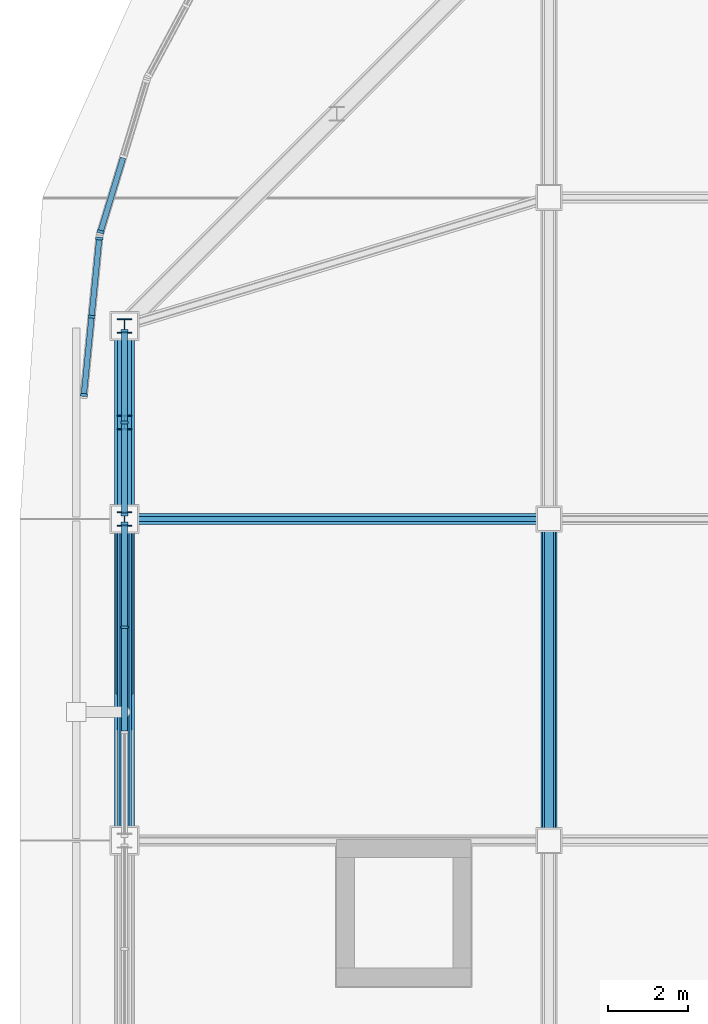
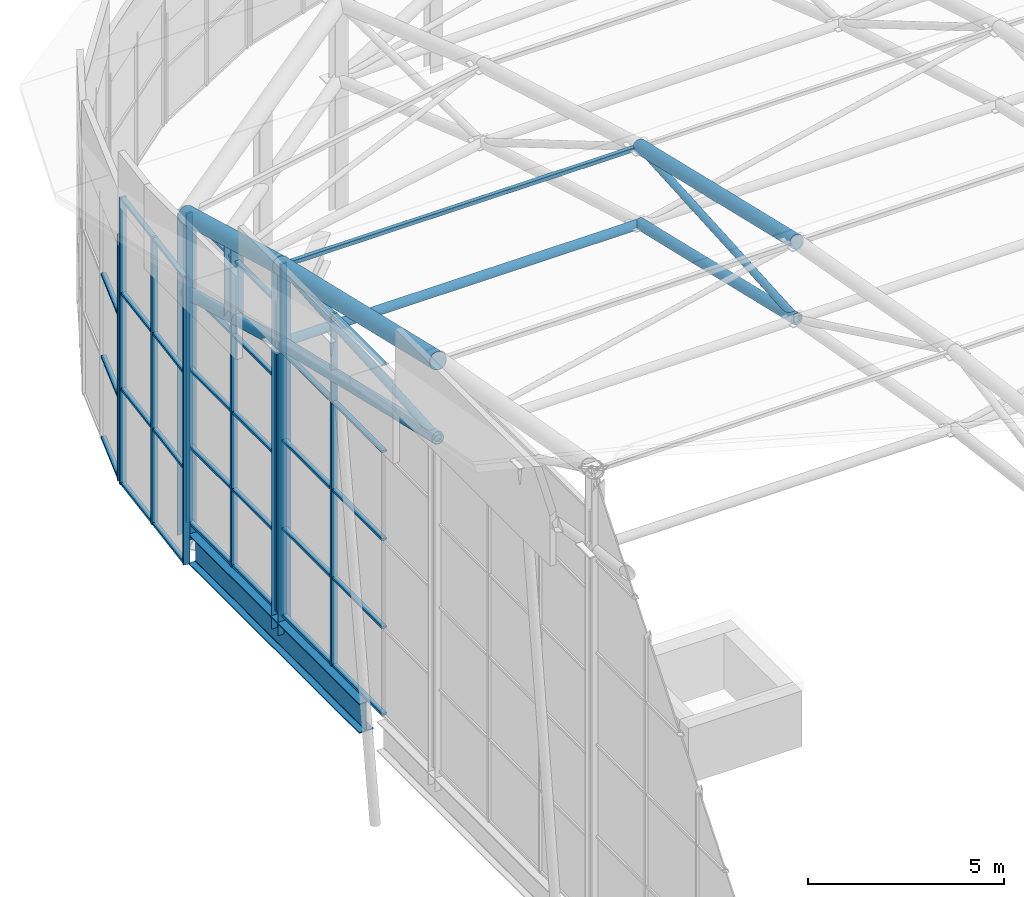
# One storey, part 18 of 42: 53 members, 1 beam, 4 elements without a shape of their own.
"""IFC4 building model written with IfcOpenShell, lengths in metres."""

from ifc_helpers import new_model, si_unit, direction, frame, origin, origin_2d, place, context, subcontext, project, spatial, rectangle, hollow_rectangle, hollow_circle, i_section, extrude, material, layer, layer_set, material_profile, profile_set, type_object, element, aggregate, save


model = new_model("IFC4")

# Units and contexts
model_context = context("Model", 3, precision=1e-05, world=origin(), true_north=direction((0.0, 1.0)))
body_context = subcontext(model_context, "Body", "Model", "MODEL_VIEW")
ifc_project = project(units=[si_unit("LENGTHUNIT", "METRE"), si_unit("AREAUNIT", "SQUARE_METRE"), si_unit("VOLUMEUNIT", "CUBIC_METRE"), si_unit("PLANEANGLEUNIT", "RADIAN"), si_unit("MASSUNIT", "GRAM", prefix="KILO")], contexts=[model_context])

# Site, building, storey
site_placement = place(None, origin())
site = spatial("IfcSite", under=ifc_project, at=site_placement, CompositionType="ELEMENT")
building_placement = place(site_placement, origin())
building = spatial("IfcBuilding", under=site, at=building_placement, Name="Caelomonte Colonnade Arena", CompositionType="ELEMENT")
storey_placement = place(building_placement, frame((0.0, 0.0, 28.199951171875)))
storey = spatial("IfcBuildingStorey", under=building, at=storey_placement, Name="RF", CompositionType="ELEMENT", Elevation=28.199951171875)

# Curtain wall, members
ifc_material_1 = material(Name="Bronze anodised aluminium and low-E glazing", Category="aluminium")
ifc_layer_1 = layer(ifc_material_1, 0.179931640625)
ifc_layer_set_1 = layer_set([ifc_layer_1], Name="Bronze anodised aluminium and low-E glazing")
curtain_wall_type_1 = type_object("IfcCurtainWallType", Name="ENV-CW-CW-TYMP-07", PredefinedType="USERDEFINED", material=ifc_layer_set_1)
curtain_wall_1_placement = place(storey_placement, origin())
curtain_wall_1 = element("IfcCurtainWall", 1, at=curtain_wall_1_placement, inside=storey, type_object=curtain_wall_type_1, Name="Barrel arch W clerestory tympanum curtain wall 7", ObjectType="UNITIZED CURTAIN WALL", PredefinedType="USERDEFINED")
ifc_material_2 = material(Name="Bronze anodised aluminium AA6063-T6", Category="aluminium")
ifc_material_profile_1 = material_profile(ifc_material_2, rectangle(XDim=0.070068359375, YDim=0.179931640625, at=origin_2d()), Name="CWM-70X180")
ifc_profile_set_1 = profile_set([ifc_material_profile_1], Name="Bronze anodised aluminium AA6063-T6")
member_type_1 = type_object("IfcMemberType", Name="ENV-CW-MULL1", PredefinedType="MULLION", material=ifc_profile_set_1)
member_1_placement = place(storey_placement, frame((57.60009765625, 91.0849609375, -0.14990234375), z_axis=(0.0, 0.0, 1.0), x_axis=(0.0, -1.0, 0.0)))
member_1 = element("IfcMember", 2, at=member_1_placement, type_object=member_type_1, Name="CW-TYMP-07 mullion 1", PredefinedType="MULLION", context=body_context, shape_type="SweptSolid", body=[
    extrude(rectangle(XDim=0.070068359375, YDim=0.179931640625, at=origin_2d()), origin(), (0.0, 0.0, 1.0), 10.952880859375),
])
member_2_placement = place(storey_placement, frame((57.60009765625, 88.506591796875, -0.14990234375), z_axis=(0.0, 0.0, 1.0), x_axis=(0.0, -1.0, 0.0)))
member_2 = element("IfcMember", 3, at=member_2_placement, type_object=member_type_1, Name="CW-TYMP-07 mullion 2", PredefinedType="MULLION", context=body_context, shape_type="SweptSolid", body=[
    extrude(rectangle(XDim=0.070068359375, YDim=0.179931640625, at=origin_2d()), origin(), (0.0, 0.0, 1.0), 10.952880859375),
])

ifc_layer_2 = layer(ifc_material_1, 0.179931640625)
ifc_layer_set_2 = layer_set([ifc_layer_2], Name="Bronze anodised aluminium and low-E glazing")
curtain_wall_type_2 = type_object("IfcCurtainWallType", Name="ENV-CW-CW-TYMP-08", PredefinedType="USERDEFINED", material=ifc_layer_set_2)
curtain_wall_2_placement = place(storey_placement, origin())
curtain_wall_2 = element("IfcCurtainWall", 4, at=curtain_wall_2_placement, inside=storey, type_object=curtain_wall_type_2, Name="Barrel arch W clerestory tympanum curtain wall 8", ObjectType="UNITIZED CURTAIN WALL", PredefinedType="USERDEFINED")
member_3_placement = place(storey_placement, frame((57.60009765625, 95.885009765625, -0.14990234375), z_axis=(0.0, 0.0, 1.0), x_axis=(0.0, -1.0, 0.0)))
member_3 = element("IfcMember", 5, at=member_3_placement, type_object=member_type_1, Name="CW-TYMP-08 mullion 1", PredefinedType="MULLION", context=body_context, shape_type="SweptSolid", body=[
    extrude(rectangle(XDim=0.070068359375, YDim=0.179931640625, at=origin_2d()), origin(), (0.0, 0.0, 1.0), 9.61474609375),
])
member_4_placement = place(storey_placement, frame((57.60009765625, 93.60009765625, -0.14990234375), z_axis=(0.0, 0.0, 1.0), x_axis=(0.0, -1.0, 0.0)))
member_4 = element("IfcMember", 6, at=member_4_placement, type_object=member_type_1, Name="CW-TYMP-08 mullion 2", PredefinedType="MULLION", context=body_context, shape_type="SweptSolid", body=[
    extrude(rectangle(XDim=0.070068359375, YDim=0.179931640625, at=origin_2d()), origin(), (0.0, 0.0, 1.0), 9.61474609375),
])
member_5_placement = place(storey_placement, frame((57.60009765625, 91.31494140625, -0.14990234375), z_axis=(0.0, 0.0, 1.0), x_axis=(0.0, -1.0, 0.0)))
member_5 = element("IfcMember", 7, at=member_5_placement, type_object=member_type_1, Name="CW-TYMP-08 mullion 3", PredefinedType="MULLION", context=body_context, shape_type="SweptSolid", body=[
    extrude(rectangle(XDim=0.070068359375, YDim=0.179931640625, at=origin_2d()), origin(), (0.0, 0.0, 1.0), 9.61474609375),
])

# Curtain wall, member
ifc_layer_3 = layer(ifc_material_1, 0.179931640625)
ifc_layer_set_3 = layer_set([ifc_layer_3], Name="Bronze anodised aluminium and low-E glazing")
curtain_wall_type_3 = type_object("IfcCurtainWallType", Name="ENV-CW-CW-TYMPC-02-77", PredefinedType="USERDEFINED", material=ifc_layer_set_3)
curtain_wall_3_placement = place(storey_placement, origin())
curtain_wall_3 = element("IfcCurtainWall", 8, at=curtain_wall_3_placement, inside=storey, type_object=curtain_wall_type_3, Name="Barrel arch rounded corner clerestory curtain wall 23", ObjectType="UNITIZED CURTAIN WALL", PredefinedType="USERDEFINED")
member_6_placement = place(storey_placement, frame((57.004638671875, 98.343017578125, -0.14990234375), z_axis=(0.0, 0.0, 1.0), x_axis=(-0.290266004632, -0.956945999811, 0.0)))
member_6 = element("IfcMember", 9, at=member_6_placement, type_object=member_type_1, Name="CW-TYMPC-02-77 mullion 3", PredefinedType="MULLION", context=body_context, shape_type="SweptSolid", body=[
    extrude(rectangle(XDim=0.070068359375, YDim=0.179931640625, at=origin_2d()), origin(), (0.0, 0.0, 1.0), 7.666259765625),
])

# Curtain wall, members
ifc_layer_4 = layer(ifc_material_1, 0.179931640625)
ifc_layer_set_4 = layer_set([ifc_layer_4], Name="Bronze anodised aluminium and low-E glazing")
curtain_wall_type_4 = type_object("IfcCurtainWallType", Name="ENV-CW-CW-TYMPC-01-89", PredefinedType="USERDEFINED", material=ifc_layer_set_4)
curtain_wall_4_placement = place(storey_placement, origin())
curtain_wall_4 = element("IfcCurtainWall", 10, at=curtain_wall_4_placement, inside=storey, type_object=curtain_wall_type_4, Name="Barrel arch rounded corner clerestory curtain wall 24", ObjectType="UNITIZED CURTAIN WALL", PredefinedType="USERDEFINED")
member_7_placement = place(storey_placement, frame((56.9716796875, 98.17724609375, -0.14990234375), z_axis=(0.0, 0.0, 1.0), x_axis=(-0.098031417843, -0.995183320356, 0.0)))
member_7 = element("IfcMember", 11, at=member_7_placement, type_object=member_type_1, Name="CW-TYMPC-01-89 mullion 1", PredefinedType="MULLION", context=body_context, shape_type="SweptSolid", body=[
    extrude(rectangle(XDim=0.070068359375, YDim=0.179931640625, at=origin_2d()), origin(), (0.0, 0.0, 1.0), 8.93017578125),
])
member_8_placement = place(storey_placement, frame((56.780029296875, 96.23095703125, -0.14990234375), z_axis=(0.0, 0.0, 1.0), x_axis=(-0.098031417843, -0.995183320356, 0.0)))
member_8 = element("IfcMember", 12, at=member_8_placement, type_object=member_type_1, Name="CW-TYMPC-01-89 mullion 2", PredefinedType="MULLION", context=body_context, shape_type="SweptSolid", body=[
    extrude(rectangle(XDim=0.070068359375, YDim=0.179931640625, at=origin_2d()), origin(), (0.0, 0.0, 1.0), 8.93017578125),
])
member_9_placement = place(storey_placement, frame((56.58837890625, 94.28466796875, -0.14990234375), z_axis=(0.0, 0.0, 1.0), x_axis=(-0.098031417843, -0.995183320356, 0.0)))
member_9 = element("IfcMember", 13, at=member_9_placement, type_object=member_type_1, Name="CW-TYMPC-01-89 mullion 3", PredefinedType="MULLION", context=body_context, shape_type="SweptSolid", body=[
    extrude(rectangle(XDim=0.070068359375, YDim=0.179931640625, at=origin_2d()), origin(), (0.0, 0.0, 1.0), 8.93017578125),
])

# Member
ifc_material_profile_2 = material_profile(ifc_material_2, rectangle(XDim=0.070068359375, YDim=0.139892578125, at=origin_2d()), Name="CWT-70X140")
ifc_profile_set_2 = profile_set([ifc_material_profile_2], Name="Bronze anodised aluminium AA6063-T6")
member_type_2 = type_object("IfcMemberType", Name="ENV-CW-TRAN1", PredefinedType="USERDEFINED", material=ifc_profile_set_2)
member_10_placement = place(storey_placement, frame((57.60009765625, 91.050048828125, -0.114990234375), z_axis=(0.0, -1.0, 0.0), x_axis=(0.0, 0.0, 1.0)))
member_10 = element("IfcMember", 14, at=member_10_placement, type_object=member_type_2, Name="CW-TYMP-07 transom 1.1", ObjectType="TRANSOM", PredefinedType="USERDEFINED", context=body_context, shape_type="SweptSolid", body=[
    extrude(rectangle(XDim=0.070068359375, YDim=0.139892578125, at=origin_2d()), origin(), (0.0, 0.0, 1.0), 2.50830078125),
])

member_11_placement = place(storey_placement, frame((57.60009765625, 91.050048828125, 2.58837890625), z_axis=(0.0, -1.0, 0.0), x_axis=(0.0, 0.0, 1.0)))
member_11 = element("IfcMember", 15, at=member_11_placement, type_object=member_type_2, Name="CW-TYMP-07 transom 1.2", ObjectType="TRANSOM", PredefinedType="USERDEFINED", context=body_context, shape_type="SweptSolid", body=[
    extrude(rectangle(XDim=0.070068359375, YDim=0.139892578125, at=origin_2d()), origin(), (0.0, 0.0, 1.0), 2.50830078125),
])

member_12_placement = place(storey_placement, frame((57.60009765625, 91.050048828125, 5.32666015625), z_axis=(0.0, -1.0, 0.0), x_axis=(0.0, 0.0, 1.0)))
member_12 = element("IfcMember", 16, at=member_12_placement, type_object=member_type_2, Name="CW-TYMP-07 transom 1.3", ObjectType="TRANSOM", PredefinedType="USERDEFINED", context=body_context, shape_type="SweptSolid", body=[
    extrude(rectangle(XDim=0.070068359375, YDim=0.139892578125, at=origin_2d()), origin(), (0.0, 0.0, 1.0), 2.50830078125),
])

member_13_placement = place(storey_placement, frame((57.60009765625, 91.050048828125, 8.064697265625), z_axis=(0.0, -1.0, 0.0), x_axis=(0.0, 0.0, 1.0)))
member_13 = element("IfcMember", 17, at=member_13_placement, type_object=member_type_2, Name="CW-TYMP-07 transom 1.4", ObjectType="TRANSOM", PredefinedType="USERDEFINED", context=body_context, shape_type="SweptSolid", body=[
    extrude(rectangle(XDim=0.070068359375, YDim=0.139892578125, at=origin_2d()), origin(), (0.0, 0.0, 1.0), 2.50830078125),
])

member_14_placement = place(storey_placement, frame((57.60009765625, 91.050048828125, 10.76806640625), z_axis=(0.0, -1.0, 0.0), x_axis=(0.0, 0.0, 1.0)))
member_14 = element("IfcMember", 18, at=member_14_placement, type_object=member_type_2, Name="CW-TYMP-07 transom 1.5", ObjectType="TRANSOM", PredefinedType="USERDEFINED", context=body_context, shape_type="SweptSolid", body=[
    extrude(rectangle(XDim=0.070068359375, YDim=0.139892578125, at=origin_2d()), origin(), (0.0, 0.0, 1.0), 2.50830078125),
])

member_15_placement = place(storey_placement, frame((57.60009765625, 88.4716796875, -0.114990234375), z_axis=(0.0, -1.0, 0.0), x_axis=(0.0, 0.0, 1.0)))
member_15 = element("IfcMember", 19, at=member_15_placement, type_object=member_type_2, Name="CW-TYMP-07 transom 2.1", ObjectType="TRANSOM", PredefinedType="USERDEFINED", context=body_context, shape_type="SweptSolid", body=[
    extrude(rectangle(XDim=0.070068359375, YDim=0.139892578125, at=origin_2d()), origin(), (0.0, 0.0, 1.0), 2.54345703125),
])

member_16_placement = place(storey_placement, frame((57.60009765625, 88.4716796875, 2.58837890625), z_axis=(0.0, -1.0, 0.0), x_axis=(0.0, 0.0, 1.0)))
member_16 = element("IfcMember", 20, at=member_16_placement, type_object=member_type_2, Name="CW-TYMP-07 transom 2.2", ObjectType="TRANSOM", PredefinedType="USERDEFINED", context=body_context, shape_type="SweptSolid", body=[
    extrude(rectangle(XDim=0.070068359375, YDim=0.139892578125, at=origin_2d()), origin(), (0.0, 0.0, 1.0), 2.54345703125),
])

member_17_placement = place(storey_placement, frame((57.60009765625, 88.4716796875, 5.32666015625), z_axis=(0.0, -1.0, 0.0), x_axis=(0.0, 0.0, 1.0)))
member_17 = element("IfcMember", 21, at=member_17_placement, type_object=member_type_2, Name="CW-TYMP-07 transom 2.3", ObjectType="TRANSOM", PredefinedType="USERDEFINED", context=body_context, shape_type="SweptSolid", body=[
    extrude(rectangle(XDim=0.070068359375, YDim=0.139892578125, at=origin_2d()), origin(), (0.0, 0.0, 1.0), 2.54345703125),
])

member_18_placement = place(storey_placement, frame((57.60009765625, 88.4716796875, 8.064697265625), z_axis=(0.0, -1.0, 0.0), x_axis=(0.0, 0.0, 1.0)))
member_18 = element("IfcMember", 22, at=member_18_placement, type_object=member_type_2, Name="CW-TYMP-07 transom 2.4", ObjectType="TRANSOM", PredefinedType="USERDEFINED", context=body_context, shape_type="SweptSolid", body=[
    extrude(rectangle(XDim=0.070068359375, YDim=0.139892578125, at=origin_2d()), origin(), (0.0, 0.0, 1.0), 2.54345703125),
])

member_19_placement = place(storey_placement, frame((57.60009765625, 88.4716796875, 10.76806640625), z_axis=(0.0, -1.0, 0.0), x_axis=(0.0, 0.0, 1.0)))
member_19 = element("IfcMember", 23, at=member_19_placement, type_object=member_type_2, Name="CW-TYMP-07 transom 2.5", ObjectType="TRANSOM", PredefinedType="USERDEFINED", context=body_context, shape_type="SweptSolid", body=[
    extrude(rectangle(XDim=0.070068359375, YDim=0.139892578125, at=origin_2d()), origin(), (0.0, 0.0, 1.0), 2.54345703125),
])

aggregate(curtain_wall_1, [member_1, member_2, member_10, member_11, member_12, member_13, member_14, member_15, member_16, member_17, member_18, member_19])

member_20_placement = place(storey_placement, frame((57.60009765625, 95.85009765625, -0.114990234375), z_axis=(0.0, -1.0, 0.0), x_axis=(0.0, 0.0, 1.0)))
member_20 = element("IfcMember", 24, at=member_20_placement, type_object=member_type_2, Name="CW-TYMP-08 transom 1.1", ObjectType="TRANSOM", PredefinedType="USERDEFINED", context=body_context, shape_type="SweptSolid", body=[
    extrude(rectangle(XDim=0.070068359375, YDim=0.139892578125, at=origin_2d()), origin(), (0.0, 0.0, 1.0), 2.215087890625),
])

member_21_placement = place(storey_placement, frame((57.60009765625, 95.85009765625, 2.253662109375), z_axis=(0.0, -1.0, 0.0), x_axis=(0.0, 0.0, 1.0)))
member_21 = element("IfcMember", 25, at=member_21_placement, type_object=member_type_2, Name="CW-TYMP-08 transom 1.2", ObjectType="TRANSOM", PredefinedType="USERDEFINED", context=body_context, shape_type="SweptSolid", body=[
    extrude(rectangle(XDim=0.070068359375, YDim=0.139892578125, at=origin_2d()), origin(), (0.0, 0.0, 1.0), 2.215087890625),
])

member_22_placement = place(storey_placement, frame((57.60009765625, 95.85009765625, 4.657470703125), z_axis=(0.0, -1.0, 0.0), x_axis=(0.0, 0.0, 1.0)))
member_22 = element("IfcMember", 26, at=member_22_placement, type_object=member_type_2, Name="CW-TYMP-08 transom 1.3", ObjectType="TRANSOM", PredefinedType="USERDEFINED", context=body_context, shape_type="SweptSolid", body=[
    extrude(rectangle(XDim=0.070068359375, YDim=0.139892578125, at=origin_2d()), origin(), (0.0, 0.0, 1.0), 2.215087890625),
])

member_23_placement = place(storey_placement, frame((57.60009765625, 95.85009765625, 7.061279296875), z_axis=(0.0, -1.0, 0.0), x_axis=(0.0, 0.0, 1.0)))
member_23 = element("IfcMember", 27, at=member_23_placement, type_object=member_type_2, Name="CW-TYMP-08 transom 1.4", ObjectType="TRANSOM", PredefinedType="USERDEFINED", context=body_context, shape_type="SweptSolid", body=[
    extrude(rectangle(XDim=0.070068359375, YDim=0.139892578125, at=origin_2d()), origin(), (0.0, 0.0, 1.0), 2.215087890625),
])

member_24_placement = place(storey_placement, frame((57.60009765625, 95.85009765625, 9.429931640625), z_axis=(0.0, -1.0, 0.0), x_axis=(0.0, 0.0, 1.0)))
member_24 = element("IfcMember", 28, at=member_24_placement, type_object=member_type_2, Name="CW-TYMP-08 transom 1.5", ObjectType="TRANSOM", PredefinedType="USERDEFINED", context=body_context, shape_type="SweptSolid", body=[
    extrude(rectangle(XDim=0.070068359375, YDim=0.139892578125, at=origin_2d()), origin(), (0.0, 0.0, 1.0), 2.215087890625),
])

member_25_placement = place(storey_placement, frame((57.60009765625, 93.56494140625, -0.114990234375), z_axis=(0.0, -1.0, 0.0), x_axis=(0.0, 0.0, 1.0)))
member_25 = element("IfcMember", 29, at=member_25_placement, type_object=member_type_2, Name="CW-TYMP-08 transom 2.1", ObjectType="TRANSOM", PredefinedType="USERDEFINED", context=body_context, shape_type="SweptSolid", body=[
    extrude(rectangle(XDim=0.070068359375, YDim=0.139892578125, at=origin_2d()), origin(), (0.0, 0.0, 1.0), 2.21484375),
])

member_26_placement = place(storey_placement, frame((57.60009765625, 93.56494140625, 2.253662109375), z_axis=(0.0, -1.0, 0.0), x_axis=(0.0, 0.0, 1.0)))
member_26 = element("IfcMember", 30, at=member_26_placement, type_object=member_type_2, Name="CW-TYMP-08 transom 2.2", ObjectType="TRANSOM", PredefinedType="USERDEFINED", context=body_context, shape_type="SweptSolid", body=[
    extrude(rectangle(XDim=0.070068359375, YDim=0.139892578125, at=origin_2d()), origin(), (0.0, 0.0, 1.0), 2.21484375),
])

member_27_placement = place(storey_placement, frame((57.60009765625, 93.56494140625, 4.657470703125), z_axis=(0.0, -1.0, 0.0), x_axis=(0.0, 0.0, 1.0)))
member_27 = element("IfcMember", 31, at=member_27_placement, type_object=member_type_2, Name="CW-TYMP-08 transom 2.3", ObjectType="TRANSOM", PredefinedType="USERDEFINED", context=body_context, shape_type="SweptSolid", body=[
    extrude(rectangle(XDim=0.070068359375, YDim=0.139892578125, at=origin_2d()), origin(), (0.0, 0.0, 1.0), 2.21484375),
])

member_28_placement = place(storey_placement, frame((57.60009765625, 93.56494140625, 7.061279296875), z_axis=(0.0, -1.0, 0.0), x_axis=(0.0, 0.0, 1.0)))
member_28 = element("IfcMember", 32, at=member_28_placement, type_object=member_type_2, Name="CW-TYMP-08 transom 2.4", ObjectType="TRANSOM", PredefinedType="USERDEFINED", context=body_context, shape_type="SweptSolid", body=[
    extrude(rectangle(XDim=0.070068359375, YDim=0.139892578125, at=origin_2d()), origin(), (0.0, 0.0, 1.0), 2.21484375),
])

member_29_placement = place(storey_placement, frame((57.60009765625, 93.56494140625, 9.429931640625), z_axis=(0.0, -1.0, 0.0), x_axis=(0.0, 0.0, 1.0)))
member_29 = element("IfcMember", 33, at=member_29_placement, type_object=member_type_2, Name="CW-TYMP-08 transom 2.5", ObjectType="TRANSOM", PredefinedType="USERDEFINED", context=body_context, shape_type="SweptSolid", body=[
    extrude(rectangle(XDim=0.070068359375, YDim=0.139892578125, at=origin_2d()), origin(), (0.0, 0.0, 1.0), 2.21484375),
])

aggregate(curtain_wall_2, [member_3, member_4, member_5, member_20, member_21, member_22, member_23, member_24, member_25, member_26, member_27, member_28, member_29])

member_30_placement = place(storey_placement, frame((57.562255859375, 100.18115234375, -0.114990234375), z_axis=(-0.29024452618, -0.956952514508, 0.0), x_axis=(0.0, 0.0, 1.0)))
member_30 = element("IfcMember", 34, at=member_30_placement, type_object=member_type_2, Name="CW-TYMPC-02-77 transom 2.1", ObjectType="TRANSOM", PredefinedType="USERDEFINED", context=body_context, shape_type="SweptSolid", body=[
    extrude(rectangle(XDim=0.070068359375, YDim=0.139892578125, at=origin_2d()), origin(), (0.0, 0.0, 1.0), 1.885986328125),
])

member_31_placement = place(storey_placement, frame((57.562255859375, 100.18115234375, 2.405517578125), z_axis=(-0.29024452618, -0.956952514508, 0.0), x_axis=(0.0, 0.0, 1.0)))
member_31 = element("IfcMember", 35, at=member_31_placement, type_object=member_type_2, Name="CW-TYMPC-02-77 transom 2.2", ObjectType="TRANSOM", PredefinedType="USERDEFINED", context=body_context, shape_type="SweptSolid", body=[
    extrude(rectangle(XDim=0.070068359375, YDim=0.139892578125, at=origin_2d()), origin(), (0.0, 0.0, 1.0), 1.885986328125),
])

member_32_placement = place(storey_placement, frame((57.562255859375, 100.18115234375, 4.9609375), z_axis=(-0.29024452618, -0.956952514508, 0.0), x_axis=(0.0, 0.0, 1.0)))
member_32 = element("IfcMember", 36, at=member_32_placement, type_object=member_type_2, Name="CW-TYMPC-02-77 transom 2.3", ObjectType="TRANSOM", PredefinedType="USERDEFINED", context=body_context, shape_type="SweptSolid", body=[
    extrude(rectangle(XDim=0.070068359375, YDim=0.139892578125, at=origin_2d()), origin(), (0.0, 0.0, 1.0), 1.885986328125),
])

aggregate(curtain_wall_3, [member_6, member_30, member_31, member_32])

member_33_placement = place(storey_placement, frame((56.96826171875, 98.142333984375, -0.114990234375), z_axis=(-0.098003880145, -0.995186032597, 0.0), x_axis=(0.0, 0.0, 1.0)))
member_33 = element("IfcMember", 37, at=member_33_placement, type_object=member_type_2, Name="CW-TYMPC-01-89 transom 1.1", ObjectType="TRANSOM", PredefinedType="USERDEFINED", context=body_context, shape_type="SweptSolid", body=[
    extrude(rectangle(XDim=0.070068359375, YDim=0.139892578125, at=origin_2d()), origin(), (0.0, 0.0, 1.0), 1.8857421875),
])

member_34_placement = place(storey_placement, frame((56.96826171875, 98.142333984375, 2.82666015625), z_axis=(-0.098003880145, -0.995186032597, 0.0), x_axis=(0.0, 0.0, 1.0)))
member_34 = element("IfcMember", 38, at=member_34_placement, type_object=member_type_2, Name="CW-TYMPC-01-89 transom 1.2", ObjectType="TRANSOM", PredefinedType="USERDEFINED", context=body_context, shape_type="SweptSolid", body=[
    extrude(rectangle(XDim=0.070068359375, YDim=0.139892578125, at=origin_2d()), origin(), (0.0, 0.0, 1.0), 1.8857421875),
])

member_35_placement = place(storey_placement, frame((56.96826171875, 98.142333984375, 5.803466796875), z_axis=(-0.098003880145, -0.995186032597, 0.0), x_axis=(0.0, 0.0, 1.0)))
member_35 = element("IfcMember", 39, at=member_35_placement, type_object=member_type_2, Name="CW-TYMPC-01-89 transom 1.3", ObjectType="TRANSOM", PredefinedType="USERDEFINED", context=body_context, shape_type="SweptSolid", body=[
    extrude(rectangle(XDim=0.070068359375, YDim=0.139892578125, at=origin_2d()), origin(), (0.0, 0.0, 1.0), 1.8857421875),
])

member_36_placement = place(storey_placement, frame((56.96826171875, 98.142333984375, 8.745361328125), z_axis=(-0.098003880145, -0.995186032597, 0.0), x_axis=(0.0, 0.0, 1.0)))
member_36 = element("IfcMember", 40, at=member_36_placement, type_object=member_type_2, Name="CW-TYMPC-01-89 transom 1.4", ObjectType="TRANSOM", PredefinedType="USERDEFINED", context=body_context, shape_type="SweptSolid", body=[
    extrude(rectangle(XDim=0.070068359375, YDim=0.139892578125, at=origin_2d()), origin(), (0.0, 0.0, 1.0), 1.8857421875),
])

member_37_placement = place(storey_placement, frame((56.776611328125, 96.196044921875, -0.114990234375), z_axis=(-0.098016508612, -0.995184788891, 0.0), x_axis=(0.0, 0.0, 1.0)))
member_37 = element("IfcMember", 41, at=member_37_placement, type_object=member_type_2, Name="CW-TYMPC-01-89 transom 2.1", ObjectType="TRANSOM", PredefinedType="USERDEFINED", context=body_context, shape_type="SweptSolid", body=[
    extrude(rectangle(XDim=0.070068359375, YDim=0.139892578125, at=origin_2d()), origin(), (0.0, 0.0, 1.0), 1.885498046875),
])

member_38_placement = place(storey_placement, frame((56.776611328125, 96.196044921875, 2.82666015625), z_axis=(-0.098016508612, -0.995184788891, 0.0), x_axis=(0.0, 0.0, 1.0)))
member_38 = element("IfcMember", 42, at=member_38_placement, type_object=member_type_2, Name="CW-TYMPC-01-89 transom 2.2", ObjectType="TRANSOM", PredefinedType="USERDEFINED", context=body_context, shape_type="SweptSolid", body=[
    extrude(rectangle(XDim=0.070068359375, YDim=0.139892578125, at=origin_2d()), origin(), (0.0, 0.0, 1.0), 1.885498046875),
])

member_39_placement = place(storey_placement, frame((56.776611328125, 96.196044921875, 5.803466796875), z_axis=(-0.098016508612, -0.995184788891, 0.0), x_axis=(0.0, 0.0, 1.0)))
member_39 = element("IfcMember", 43, at=member_39_placement, type_object=member_type_2, Name="CW-TYMPC-01-89 transom 2.3", ObjectType="TRANSOM", PredefinedType="USERDEFINED", context=body_context, shape_type="SweptSolid", body=[
    extrude(rectangle(XDim=0.070068359375, YDim=0.139892578125, at=origin_2d()), origin(), (0.0, 0.0, 1.0), 1.885498046875),
])

member_40_placement = place(storey_placement, frame((56.776611328125, 96.196044921875, 8.745361328125), z_axis=(-0.098016508612, -0.995184788891, 0.0), x_axis=(0.0, 0.0, 1.0)))
member_40 = element("IfcMember", 44, at=member_40_placement, type_object=member_type_2, Name="CW-TYMPC-01-89 transom 2.4", ObjectType="TRANSOM", PredefinedType="USERDEFINED", context=body_context, shape_type="SweptSolid", body=[
    extrude(rectangle(XDim=0.070068359375, YDim=0.139892578125, at=origin_2d()), origin(), (0.0, 0.0, 1.0), 1.885498046875),
])

aggregate(curtain_wall_4, [member_7, member_8, member_9, member_33, member_34, member_35, member_36, member_37, member_38, member_39, member_40])

# Beam
ifc_material_3 = material(Name="Wide-flange steel ASTM A992 Grade 50", Category="steel")
ifc_material_profile_3 = material_profile(ifc_material_3, i_section(OverallWidth=0.418212890625, OverallDepth=0.927001953125, WebThickness=0.019287109375, FlangeThickness=0.031982421875, FilletRadius=0.024169921875, at=origin_2d()), Name="W36X231")
ifc_profile_set_3 = profile_set([ifc_material_profile_3], Name="Wide-flange steel ASTM A992 Grade 50")
beam_type = type_object("IfcBeamType", Name="STR-BM-EAVES1", PredefinedType="SPANDREL", material=ifc_profile_set_3)
beam_placement = place(storey_placement, frame((57.60009765625, 86.84912109375, -0.743408203125), z_axis=(0.0, 1.0, 0.0), x_axis=(-1.0, 0.0, 0.0)))
element("IfcBeam", 45, at=beam_placement, inside=storey, type_object=beam_type, Name="RF girder BMY-RF-0576-0864", PredefinedType="SPANDREL", context=body_context, shape_type="SweptSolid", body=[
    extrude(i_section(OverallWidth=0.418212890625, OverallDepth=0.927001953125, WebThickness=0.019287109375, FlangeThickness=0.031982421875, FilletRadius=0.024169921875, at=origin_2d()), origin(), (0.0, 0.0, 1.0), 8.70166015625),
])

# Members
ifc_material_profile_4 = material_profile(ifc_material_3, i_section(OverallWidth=0.368896484375, OverallDepth=0.356201171875, WebThickness=0.01123046875, FlangeThickness=0.01806640625, FilletRadius=0.01513671875, at=origin_2d()), Name="W14X90")
ifc_profile_set_4 = profile_set([ifc_material_profile_4], Name="Wide-flange steel ASTM A992 Grade 50")
member_type_3 = type_object("IfcMemberType", Name="STR-CAT-STR", PredefinedType="STRUT", material=ifc_profile_set_4)
member_41_placement = place(storey_placement, frame((57.60009765625, 91.199951171875, -0.699951171875), z_axis=(0.0, 0.0, 1.0), x_axis=(1.0, 0.0, 0.0)))
element("IfcMember", 46, at=member_41_placement, inside=storey, type_object=member_type_3, Name="Roof truss eaves bearing post 0-9", PredefinedType="STRUT", context=body_context, shape_type="SweptSolid", body=[
    extrude(i_section(OverallWidth=0.368896484375, OverallDepth=0.356201171875, WebThickness=0.01123046875, FlangeThickness=0.01806640625, FilletRadius=0.01513671875, at=origin_2d()), origin(), (0.0, 0.0, 1.0), 11.35302734375),
])
member_42_placement = place(storey_placement, frame((57.60009765625, 96.0, -0.699951171875), z_axis=(0.0, 0.0, 1.0), x_axis=(1.0, 0.0, 0.0)))
element("IfcMember", 47, at=member_42_placement, inside=storey, type_object=member_type_3, Name="Roof truss eaves bearing post 0-10", PredefinedType="STRUT", context=body_context, shape_type="SweptSolid", body=[
    extrude(i_section(OverallWidth=0.368896484375, OverallDepth=0.356201171875, WebThickness=0.01123046875, FlangeThickness=0.01806640625, FilletRadius=0.01513671875, at=origin_2d()), origin(), (0.0, 0.0, 1.0), 10.014892578125),
])
member_43_placement = place(storey_placement, frame((57.60009765625, 93.60009765625, 7.5859375), z_axis=(0.0, 0.0, 1.0), x_axis=(1.0, 0.0, 0.0)))
element("IfcMember", 48, at=member_43_placement, inside=storey, type_object=member_type_3, Name="Space frame roof truss Vierendeel post 0-9", PredefinedType="STRUT", context=body_context, shape_type="SweptSolid", body=[
    extrude(i_section(OverallWidth=0.368896484375, OverallDepth=0.356201171875, WebThickness=0.01123046875, FlangeThickness=0.01806640625, FilletRadius=0.01513671875, at=origin_2d()), origin(), (0.0, 0.0, 1.0), 2.39599609375),
])
ifc_material_4 = material(Name="Steel ASTM A500 Grade C", Category="steel")
ifc_material_profile_5 = material_profile(ifc_material_4, hollow_circle(Radius=0.177734375, WallThickness=0.0126953125, at=origin_2d()), Name="CHS355.6X12.7")
ifc_profile_set_5 = profile_set([ifc_material_profile_5], Name="Steel ASTM A500 Grade C")
member_type_4 = type_object("IfcMemberType", Name="STR-SF-BC1", PredefinedType="CHORD", material=ifc_profile_set_5)
member_44_placement = place(storey_placement, frame((57.60009765625, 83.201904296875, 10.135498046875), z_axis=(0.0, 0.973406253466, -0.229085716955), x_axis=(-1.0, 0.0, 0.0)))
element("IfcMember", 49, at=member_44_placement, inside=storey, type_object=member_type_4, Name="Arched roof truss bottom chord 0-8", PredefinedType="CHORD", context=body_context, shape_type="SweptSolid", body=[
    extrude(hollow_circle(Radius=0.177734375, WallThickness=0.0126953125, at=origin_2d()), origin(), (0.0, 0.0, 1.0), 8.214599609375),
])
member_45_placement = place(storey_placement, frame((57.60009765625, 91.201904296875, 8.25244140625), z_axis=(0.0, 0.963276563205, -0.268511196748), x_axis=(-1.0, 0.0, 0.0)))
element("IfcMember", 50, at=member_45_placement, inside=storey, type_object=member_type_4, Name="Arched roof truss bottom chord 0-9", PredefinedType="CHORD", context=body_context, shape_type="SweptSolid", body=[
    extrude(hollow_circle(Radius=0.177734375, WallThickness=0.0126953125, at=origin_2d()), origin(), (0.0, 0.0, 1.0), 4.97900390625),
])
ifc_material_profile_6 = material_profile(ifc_material_4, hollow_circle(Radius=0.161865234375, WallThickness=0.010009765625, at=origin_2d()), Name="CHS323.9X10.0")
ifc_profile_set_6 = profile_set([ifc_material_profile_6], Name="Steel ASTM A500 Grade C")
member_type_5 = type_object("IfcMemberType", Name="STR-SF-BC2", PredefinedType="CHORD", material=ifc_profile_set_6)
member_46_placement = place(storey_placement, frame((68.159912109375, 83.201904296875, 10.135498046875), z_axis=(0.0, 0.973406253466, -0.229085716955), x_axis=(-1.0, 0.0, 0.0)))
element("IfcMember", 51, at=member_46_placement, inside=storey, type_object=member_type_5, Name="Arched roof truss bottom chord 1-8", PredefinedType="CHORD", context=body_context, shape_type="SweptSolid", body=[
    extrude(hollow_circle(Radius=0.161865234375, WallThickness=0.010009765625, at=origin_2d()), origin(), (0.0, 0.0, 1.0), 8.214599609375),
])
ifc_material_profile_7 = material_profile(ifc_material_4, hollow_rectangle(XDim=0.126953125, YDim=0.126953125, WallThickness=0.00634765625, InnerFilletRadius=0.00634765625, OuterFilletRadius=0.0126953125, at=origin_2d()), Name="HSS127X127X6.4")
ifc_profile_set_7 = profile_set([ifc_material_profile_7], Name="Steel ASTM A500 Grade C")
member_type_6 = type_object("IfcMemberType", Name="STR-SF-PUR3", PredefinedType="PURLIN", material=ifc_profile_set_7)
member_47_placement = place(storey_placement, frame((57.60205078125, 91.199951171875, 10.653076171875), z_axis=(1.0, 0.0, 0.0), x_axis=(0.0, 1.0, 0.0)))
element("IfcMember", 52, at=member_47_placement, inside=storey, type_object=member_type_6, Name="Arched roof purlin 0-9", PredefinedType="PURLIN", context=body_context, shape_type="SweptSolid", body=[
    extrude(hollow_rectangle(XDim=0.126953125, YDim=0.126953125, WallThickness=0.00634765625, InnerFilletRadius=0.00634765625, OuterFilletRadius=0.0126953125, at=origin_2d()), origin(), (0.0, 0.0, 1.0), 10.555908203125),
])
ifc_material_profile_8 = material_profile(ifc_material_4, hollow_circle(Radius=0.25390625, WallThickness=0.015869140625, at=origin_2d()), Name="CHS508X15.9")
ifc_profile_set_8 = profile_set([ifc_material_profile_8], Name="Steel ASTM A500 Grade C")
member_type_7 = type_object("IfcMemberType", Name="STR-SF-TC1", PredefinedType="CHORD", material=ifc_profile_set_8)
member_48_placement = place(storey_placement, frame((57.60009765625, 83.201904296875, 12.53564453125), z_axis=(0.0, 0.973399625624, -0.229113877441), x_axis=(-1.0, 0.0, 0.0)))
element("IfcMember", 53, at=member_48_placement, inside=storey, type_object=member_type_7, Name="Arched roof truss top chord 0-8", PredefinedType="CHORD", context=body_context, shape_type="SweptSolid", body=[
    extrude(hollow_circle(Radius=0.25390625, WallThickness=0.015869140625, at=origin_2d()), origin(), (0.0, 0.0, 1.0), 8.214599609375),
])
member_49_placement = place(storey_placement, frame((57.60009765625, 91.201904296875, 10.652587890625), z_axis=(0.0, 0.963263879579, -0.268556694755), x_axis=(-1.0, 0.0, 0.0)))
element("IfcMember", 54, at=member_49_placement, inside=storey, type_object=member_type_7, Name="Arched roof truss top chord 0-9", PredefinedType="CHORD", context=body_context, shape_type="SweptSolid", body=[
    extrude(hollow_circle(Radius=0.25390625, WallThickness=0.015869140625, at=origin_2d()), origin(), (0.0, 0.0, 1.0), 4.97900390625),
])
ifc_material_profile_9 = material_profile(ifc_material_4, hollow_circle(Radius=0.203125, WallThickness=0.0126953125, at=origin_2d()), Name="CHS406.4X12.7")
ifc_profile_set_9 = profile_set([ifc_material_profile_9], Name="Steel ASTM A500 Grade C")
member_type_8 = type_object("IfcMemberType", Name="STR-SF-TC2", PredefinedType="CHORD", material=ifc_profile_set_9)
member_50_placement = place(storey_placement, frame((68.159912109375, 83.201904296875, 12.53564453125), z_axis=(0.0, 0.973399625624, -0.229113877441), x_axis=(-1.0, 0.0, 0.0)))
element("IfcMember", 55, at=member_50_placement, inside=storey, type_object=member_type_8, Name="Arched roof truss top chord 1-8", PredefinedType="CHORD", context=body_context, shape_type="SweptSolid", body=[
    extrude(hollow_circle(Radius=0.203125, WallThickness=0.0126953125, at=origin_2d()), origin(), (0.0, 0.0, 1.0), 8.214599609375),
])
ifc_material_profile_10 = material_profile(ifc_material_4, hollow_circle(Radius=0.136474609375, WallThickness=0.00927734375, at=origin_2d()), Name="CHS273.0X9.3")
ifc_profile_set_10 = profile_set([ifc_material_profile_10], Name="Steel ASTM A500 Grade C")
member_type_9 = type_object("IfcMemberType", Name="STR-SF-TIE", PredefinedType="STRUT", material=ifc_profile_set_10)
member_51_placement = place(storey_placement, frame((57.60205078125, 91.199951171875, 8.2529296875), z_axis=(1.0, 0.0, 0.0), x_axis=(0.0, 1.0, 0.0)))
element("IfcMember", 56, at=member_51_placement, inside=storey, type_object=member_type_9, Name="Space frame roof tie strut 0-9", PredefinedType="STRUT", context=body_context, shape_type="SweptSolid", body=[
    extrude(hollow_circle(Radius=0.136474609375, WallThickness=0.00927734375, at=origin_2d()), origin(), (0.0, 0.0, 1.0), 10.555908203125),
])
ifc_material_profile_11 = material_profile(ifc_material_4, hollow_circle(Radius=0.109619140625, WallThickness=0.00830078125, at=origin_2d()), Name="CHS219.1X8.2")
ifc_profile_set_11 = profile_set([ifc_material_profile_11], Name="Steel ASTM A500 Grade C")
member_type_10 = type_object("IfcMemberType", Name="STR-SF-WEB1", PredefinedType="BRACE", material=ifc_profile_set_11)
for number, where, z_axis, x_axis, name in (
    (57, (57.60009765625, 83.201904296875, 10.13623046875), (0.0, 0.997919495279, 0.064472326942), (-1.0, 0.0, 0.0), "Space frame roof truss web diagonal 0-8"),
    (58, (68.159912109375, 83.201904296875, 10.13623046875), (0.0, 0.997919495279, 0.064472326942), (-1.0, 0.0, 0.0), "Space frame roof truss web diagonal 1-8"),
):
    element("IfcMember", number, at=place(storey_placement, frame(where, z_axis=z_axis, x_axis=x_axis)), inside=storey, type_object=member_type_10, Name=name, PredefinedType="BRACE", context=body_context, shape_type="SweptSolid", body=[
        extrude(hollow_circle(Radius=0.109619140625, WallThickness=0.00830078125, at=origin_2d()), origin(), (0.0, 0.0, 1.0), 8.0126953125),
    ])

save(model, "model.ifc")
